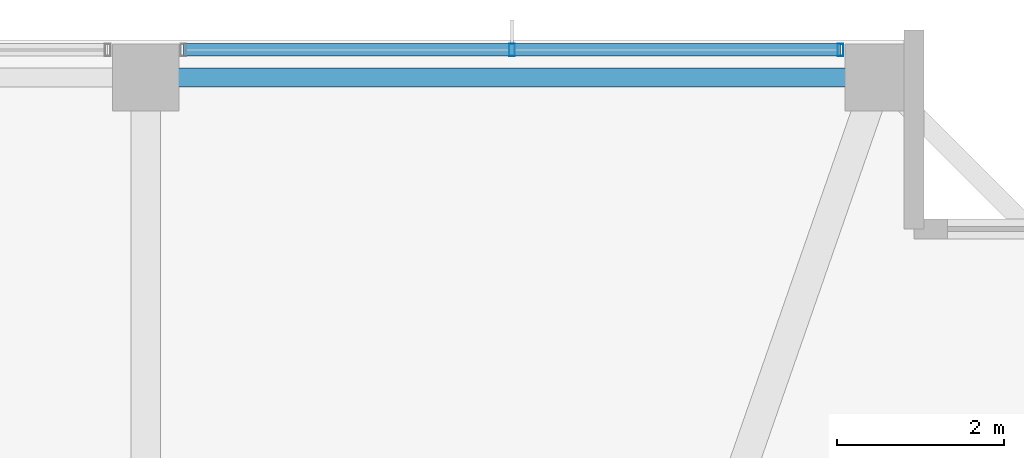
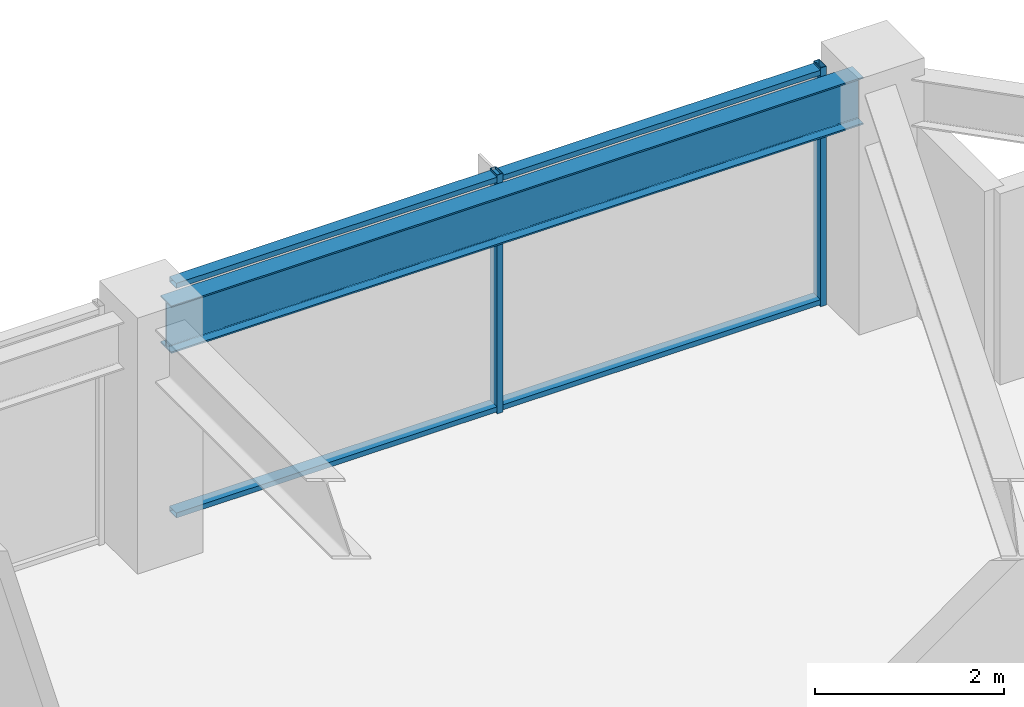
# One storey, part 20 of 34: 4 members, 1 beam, 1 element without a shape of its own.
"""IFC4 building model written with IfcOpenShell, lengths in metres."""

from ifc_helpers import new_model, si_unit, direction, frame, origin, origin_2d, place, context, subcontext, project, spatial, hollow_rectangle, i_section, extrude, material, material_profile, profile_set, type_object, element, aggregate, save


model = new_model("IFC4")

# Units and contexts
model_context = context("Model", 3, precision=1e-05, world=origin(), true_north=direction((0.0, 1.0)))
body_context = subcontext(model_context, "Body", "Model", "MODEL_VIEW")
ifc_project = project(units=[si_unit("LENGTHUNIT", "METRE"), si_unit("AREAUNIT", "SQUARE_METRE"), si_unit("VOLUMEUNIT", "CUBIC_METRE"), si_unit("PLANEANGLEUNIT", "RADIAN"), si_unit("MASSUNIT", "GRAM", prefix="KILO")], contexts=[model_context])

# Site, building, storey
site_placement = place(None, origin())
site = spatial("IfcSite", under=ifc_project, at=site_placement, CompositionType="ELEMENT")
building_placement = place(site_placement, origin())
building = spatial("IfcBuilding", under=site, at=building_placement, Name="Kolvaren Belvedere", CompositionType="ELEMENT")
storey_placement = place(building_placement, frame((0.0, 0.0, 222.89990234375)))
storey = spatial("IfcBuildingStorey", under=building, at=storey_placement, Name="L65", CompositionType="ELEMENT", Elevation=222.89990234375)

# Beam
ifc_material_1 = material(Name="Structural steel ASTM A992 Grade 50", Category="steel")
ifc_material_profile_1 = material_profile(ifc_material_1, i_section(OverallWidth=0.22900390625, OverallDepth=0.612060546875, WebThickness=0.011962890625, FlangeThickness=0.01953125, FilletRadius=0.01806640625, at=origin_2d()), Name="W24X84")
ifc_profile_set_1 = profile_set([ifc_material_profile_1], Name="Structural steel ASTM A992 Grade 50")
beam_type = type_object("IfcBeamType", Name="BM-SPAN-W24X84", PredefinedType="SPANDREL", material=ifc_profile_set_1)
beam_placement = place(storey_placement, frame((13.219970703125, 19.949951171875, 2.774169921875), z_axis=(-1.0, 0.0, 0.0), x_axis=(0.0, -1.0, 0.0)))
element("IfcBeam", 1, at=beam_placement, inside=storey, type_object=beam_type, Name="L65 Perimeter Spandrel N4-N3", PredefinedType="SPANDREL", context=body_context, shape_type="SweptSolid", body=[
    extrude(i_section(OverallWidth=0.22900390625, OverallDepth=0.612060546875, WebThickness=0.011962890625, FlangeThickness=0.01953125, FilletRadius=0.01806640625, at=origin_2d()), origin(), (0.0, 0.0, 1.0), 8.43994140625),
])

# Curtain wall, members
ifc_material_2 = material(Name="Anodised pale-metal aluminium AA 6063-T6", Category="aluminium")
curtain_wall_type = type_object("IfcCurtainWallType", Name="CW-Z5-HIGH", PredefinedType="NOTDEFINED", material=ifc_material_2)
curtain_wall_placement = place(storey_placement, origin())
curtain_wall = element("IfcCurtainWall", 2, at=curtain_wall_placement, inside=storey, type_object=curtain_wall_type, Name="L65 Unitised Curtain Wall FCW-L65-N-B3", PredefinedType="NOTDEFINED")
ifc_material_3 = material(Name="Anodised pale-metal aluminium AA 6063-T6", Category="aluminium")
ifc_material_profile_2 = material_profile(ifc_material_3, hollow_rectangle(XDim=0.070068359375, YDim=0.14990234375, WallThickness=0.004150390625, at=origin_2d()), Name="ALU-MUL-150X70")
ifc_profile_set_2 = profile_set([ifc_material_profile_2], Name="Anodised pale-metal aluminium AA 6063-T6")
member_type_1 = type_object("IfcMemberType", Name="CW-MUL-150", PredefinedType="MULLION", material=ifc_profile_set_2)
member_1_placement = place(storey_placement, frame((9.0, 20.280029296875, 0.0), z_axis=(0.0, 0.0, 1.0), x_axis=(1.0, 0.0, 0.0)))
member_1 = element("IfcMember", 3, at=member_1_placement, type_object=member_type_1, Name="FCW-L65-N-B3 Unitised Mullion 2", PredefinedType="MULLION", context=body_context, shape_type="SweptSolid", body=[
    extrude(hollow_rectangle(XDim=0.070068359375, YDim=0.14990234375, WallThickness=0.004150390625, at=origin_2d()), origin(), (0.0, 0.0, 1.0), 3.080078125),
])
member_2_placement = place(storey_placement, frame((12.945068359375, 20.280029296875, 0.0), z_axis=(0.0, 0.0, 1.0), x_axis=(1.0, 0.0, 0.0)))
member_2 = element("IfcMember", 4, at=member_2_placement, type_object=member_type_1, Name="FCW-L65-N-B3 Unitised Mullion 3", PredefinedType="MULLION", context=body_context, shape_type="SweptSolid", body=[
    extrude(hollow_rectangle(XDim=0.070068359375, YDim=0.14990234375, WallThickness=0.004150390625, at=origin_2d()), origin(), (0.0, 0.0, 1.0), 3.080078125),
])
ifc_material_4 = material(Name="Anodised pale-metal aluminium AA 6063-T6", Category="aluminium")
ifc_material_profile_3 = material_profile(ifc_material_4, hollow_rectangle(XDim=0.06494140625, YDim=0.14990234375, WallThickness=0.00390625, at=origin_2d()), Name="ALU-TRN-150X65")
ifc_profile_set_3 = profile_set([ifc_material_profile_3], Name="Anodised pale-metal aluminium AA 6063-T6")
member_type_2 = type_object("IfcMemberType", Name="CW-TRN-150", PredefinedType="USERDEFINED", material=ifc_profile_set_3)
member_3_placement = place(storey_placement, frame((5.054931640625, 20.280029296875, 0.06005859375), z_axis=(1.0, 0.0, 0.0), x_axis=(0.0, 0.0, 1.0)))
member_3 = element("IfcMember", 5, at=member_3_placement, type_object=member_type_2, Name="FCW-L65-N-B3 Sill Transom", ObjectType="TRANSOM", PredefinedType="USERDEFINED", context=body_context, shape_type="SweptSolid", body=[
    extrude(hollow_rectangle(XDim=0.06494140625, YDim=0.14990234375, WallThickness=0.00390625, at=origin_2d()), origin(), (0.0, 0.0, 1.0), 7.89013671875),
])
member_4_placement = place(storey_placement, frame((5.054931640625, 20.280029296875, 3.02001953125), z_axis=(1.0, 0.0, 0.0), x_axis=(0.0, 0.0, 1.0)))
member_4 = element("IfcMember", 6, at=member_4_placement, type_object=member_type_2, Name="FCW-L65-N-B3 Head Transom", ObjectType="TRANSOM", PredefinedType="USERDEFINED", context=body_context, shape_type="SweptSolid", body=[
    extrude(hollow_rectangle(XDim=0.06494140625, YDim=0.14990234375, WallThickness=0.00390625, at=origin_2d()), origin(), (0.0, 0.0, 1.0), 7.89013671875),
])
aggregate(curtain_wall, [member_1, member_2, member_3, member_4])

save(model, "model.ifc")
